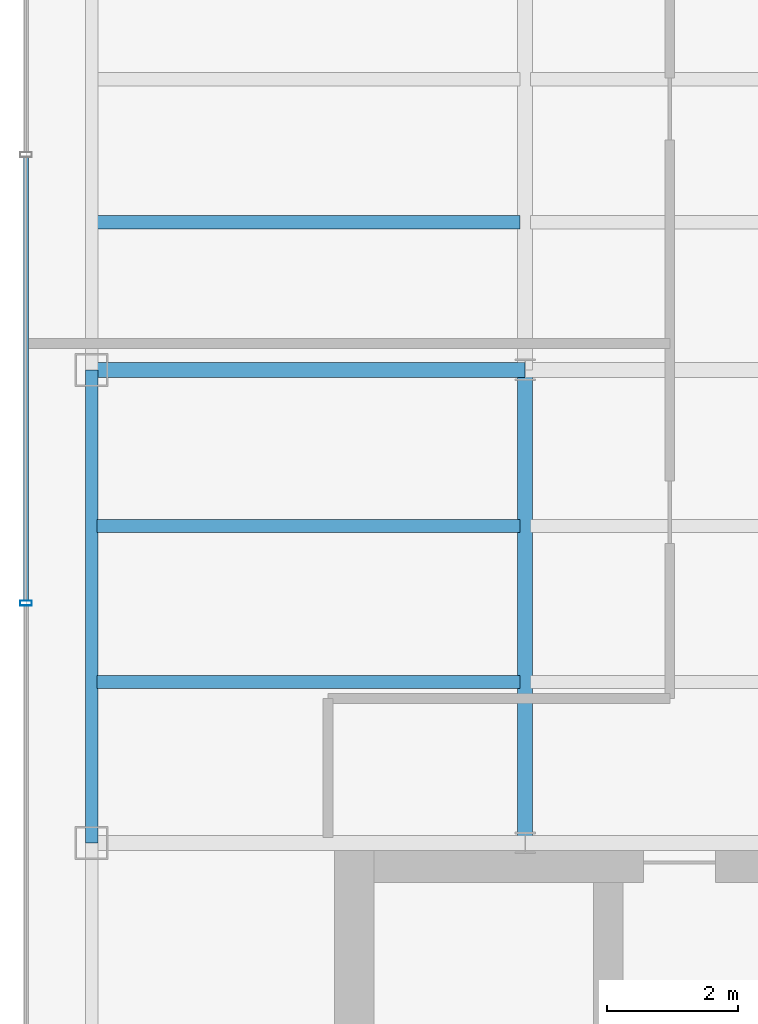
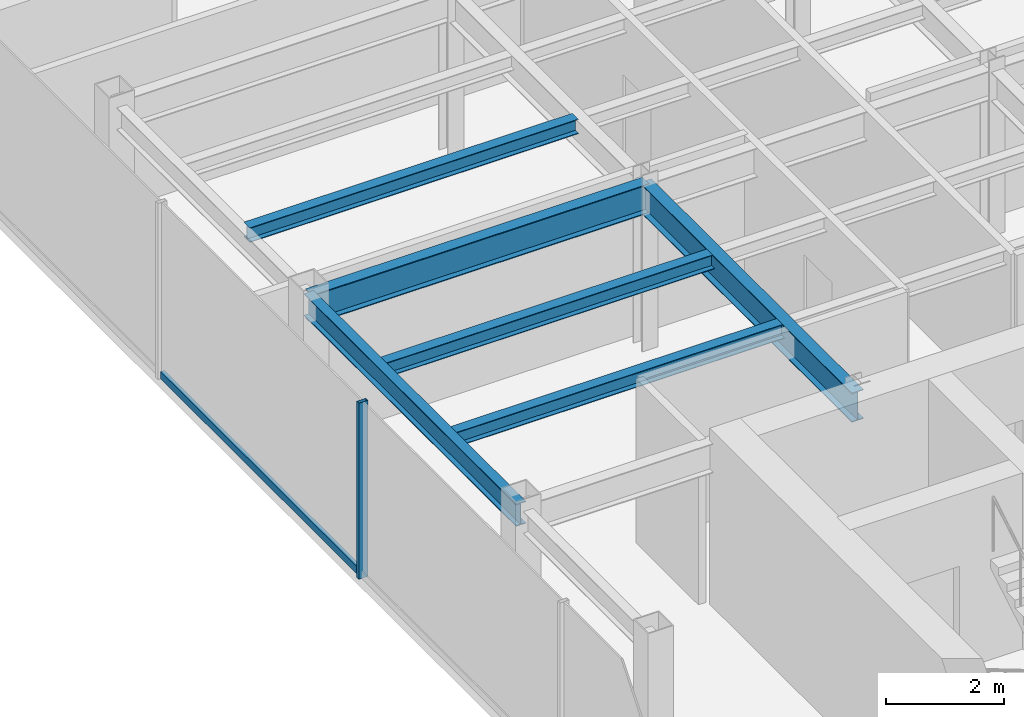
# One storey, part 5 of 22: 6 beams, 2 members, 1 element without a shape of its own.
"""IFC4 building model written with IfcOpenShell, lengths in metres."""

from ifc_helpers import new_model, si_unit, derived_unit, direction, frame, origin, origin_2d, place, context, subcontext, project, spatial, hollow_rectangle, i_section, extrude, source, transform, mapped, material, material_profile, profile_set, type_object, element, aggregate, save


model = new_model("IFC4")

# Units and contexts
model_context = context("Model", 3, precision=1e-05, world=origin(), true_north=direction((0.0, 1.0)))
body_context = subcontext(model_context, "Body", "Model", "MODEL_VIEW")
ifc_project = project(units=[si_unit("LENGTHUNIT", "METRE"), si_unit("AREAUNIT", "SQUARE_METRE"), si_unit("VOLUMEUNIT", "CUBIC_METRE"), si_unit("PLANEANGLEUNIT", "RADIAN"), si_unit("MASSUNIT", "GRAM", prefix="KILO"), derived_unit("THERMALTRANSMITTANCEUNIT", [(si_unit("POWERUNIT", "WATT"), 1), (si_unit("LENGTHUNIT", "METRE"), -2), (si_unit("THERMODYNAMICTEMPERATUREUNIT", "KELVIN"), -1)])], contexts=[model_context])

# Site, building, storey
site_placement = place(None, origin())
site = spatial("IfcSite", under=ifc_project, at=site_placement, CompositionType="ELEMENT")
building_placement = place(site_placement, origin())
building = spatial("IfcBuilding", under=site, at=building_placement, Name="Skarnbrae Concourse Arena and Tower", CompositionType="ELEMENT")
storey_placement = place(building_placement, frame((0.0, 0.0, 255.14990234375)))
storey = spatial("IfcBuildingStorey", under=building, at=storey_placement, Name="L66", CompositionType="ELEMENT", Elevation=255.14990234375)

# Beams
ifc_material_1 = material(Name="Steel CSA G40.21 350W", Category="steel")
ifc_material_profile_1 = material_profile(ifc_material_1, i_section(OverallWidth=0.22802734375, OverallDepth=0.60791015625, WebThickness=0.01123046875, FlangeThickness=0.017333984375, at=origin_2d()), Name="W610X113")
ifc_profile_set_1 = profile_set([ifc_material_profile_1], Name="Steel CSA G40.21 350W")
beam_type_1 = type_object("IfcBeamType", Name="BM-GIRD-W610X113", PredefinedType="BEAM", material=ifc_profile_set_1)
shared_shape_1 = source(origin(), body_context, "Body", "SweptSolid", [
    extrude(i_section(OverallWidth=0.22802734375, OverallDepth=0.60791015625, WebThickness=0.01123046875, FlangeThickness=0.017333984375, at=origin_2d()), origin(), (0.0, 0.0, 1.0), 6.60009765625),
])
beam_1_placement = place(storey_placement, frame((1.0, 21.199951171875, 3.09619140625), z_axis=(1.0, 0.0, 0.0), x_axis=(0.0, 1.0, 0.0)))
element("IfcBeam", 1, at=beam_1_placement, inside=storey, type_object=beam_type_1, Name="L66 Primary E-W girder Y21.2-1", PredefinedType="BEAM", context=body_context, shape_type="MappedRepresentation", body=[
    mapped(shared_shape_1, transform((0.0, 0.0, 0.0))),
])
ifc_material_profile_2 = material_profile(ifc_material_1, i_section(OverallWidth=0.19091796875, OverallDepth=0.4599609375, WebThickness=0.010009765625, FlangeThickness=0.01611328125, at=origin_2d()), Name="W460X82")
ifc_profile_set_2 = profile_set([ifc_material_profile_2], Name="Steel CSA G40.21 350W")
beam_type_2 = type_object("IfcBeamType", Name="BM-SPAN-W460X82", PredefinedType="SPANDREL", material=ifc_profile_set_2)
shared_shape_2 = source(origin(), body_context, "Body", "SweptSolid", [
    extrude(i_section(OverallWidth=0.19091796875, OverallDepth=0.4599609375, WebThickness=0.010009765625, FlangeThickness=0.01611328125, at=origin_2d()), origin(), (0.0, 0.0, 1.0), 7.199951171875),
])
beam_2_placement = place(storey_placement, frame((1.0, 14.0, 3.170166015625), z_axis=(0.0, 1.0, 0.0), x_axis=(-1.0, 0.0, 0.0)))
element("IfcBeam", 2, at=beam_2_placement, inside=storey, type_object=beam_type_2, Name="L66 Perimeter spandrel X1.0-2", PredefinedType="SPANDREL", context=body_context, shape_type="MappedRepresentation", body=[
    mapped(shared_shape_2, transform((0.0, 0.0, 0.0))),
])
shared_shape_3 = source(origin(), body_context, "Body", "SweptSolid", [
    extrude(i_section(OverallWidth=0.22802734375, OverallDepth=0.60791015625, WebThickness=0.01123046875, FlangeThickness=0.017333984375, at=origin_2d()), origin(), (0.0, 0.0, 1.0), 7.199951171875),
])
beam_3_placement = place(storey_placement, frame((7.60009765625, 14.0, 3.09619140625), z_axis=(0.0, 1.0, 0.0), x_axis=(-1.0, 0.0, 0.0)))
element("IfcBeam", 3, at=beam_3_placement, inside=storey, type_object=beam_type_1, Name="L66 Primary N-S girder X7.6-1", PredefinedType="BEAM", context=body_context, shape_type="MappedRepresentation", body=[
    mapped(shared_shape_3, transform((0.0, 0.0, 0.0))),
])
ifc_material_profile_3 = material_profile(ifc_material_1, i_section(OverallWidth=0.202880859375, OverallDepth=0.302978515625, WebThickness=0.007568359375, FlangeThickness=0.01318359375, at=origin_2d()), Name="W310X60")
ifc_profile_set_3 = profile_set([ifc_material_profile_3], Name="Steel CSA G40.21 350W")
beam_type_3 = type_object("IfcBeamType", Name="BM-JOIST-W310X60", PredefinedType="JOIST", material=ifc_profile_set_3)
shared_shape_4 = source(origin(), body_context, "Body", "SweptSolid", [
    extrude(i_section(OverallWidth=0.202880859375, OverallDepth=0.302978515625, WebThickness=0.007568359375, FlangeThickness=0.01318359375, at=origin_2d()), origin(), (0.0, 0.0, 1.0), 6.43994140625),
])
for number, where, z_axis, x_axis, name in (
    (4, (1.080078125, 16.447998046875, 3.24853515625), (1.0, 0.0, 0.0), (0.0, 1.0, 0.0), "L66 Secondary floor joist 1.1.1"),
    (5, (1.080078125, 18.823974609375, 3.24853515625), (1.0, 0.0, 0.0), (0.0, 1.0, 0.0), "L66 Secondary floor joist 1.2.1"),
    (6, (1.080078125, 23.444091796875, 3.24853515625), (1.0, 0.0, 0.0), (0.0, 1.0, 0.0), "L66 Secondary floor joist 2.1.1"),
):
    element("IfcBeam", number, at=place(storey_placement, frame(where, z_axis=z_axis, x_axis=x_axis)), inside=storey, type_object=beam_type_3, Name=name, PredefinedType="JOIST", context=body_context, shape_type="MappedRepresentation", body=[
        mapped(shared_shape_4, transform((0.0, 0.0, 0.0))),
    ])

# Curtain wall, members
ifc_material_2 = material(Name="Bronze anodised aluminium 6063-T6", Category="aluminium")
curtain_wall_type = type_object("IfcCurtainWallType", Name="CW-SYS-05-HIGHZONE", PredefinedType="USERDEFINED", material=ifc_material_2)
curtain_wall_placement = place(storey_placement, origin())
curtain_wall = element("IfcCurtainWall", 7, at=curtain_wall_placement, inside=storey, type_object=curtain_wall_type, Name="L66 Unitised curtain wall CW-L66-E18", ObjectType="UNITISED CURTAIN WALL", PredefinedType="USERDEFINED")
ifc_material_profile_4 = material_profile(ifc_material_2, hollow_rectangle(XDim=0.074951171875, YDim=0.14990234375, WallThickness=0.00390625, at=origin_2d()), Name="ALU-TRAN-75X150")
ifc_profile_set_4 = profile_set([ifc_material_profile_4], Name="Bronze anodised aluminium 6063-T6")
member_type_1 = type_object("IfcMemberType", Name="CWT-CW-05", PredefinedType="USERDEFINED", material=ifc_profile_set_4)
shared_shape_5 = source(origin(), body_context, "Body", "SweptSolid", [
    extrude(hollow_rectangle(XDim=0.074951171875, YDim=0.14990234375, WallThickness=0.00390625, at=origin_2d()), origin(), (0.0, 0.0, 1.0), 6.75),
])
member_1_placement = place(storey_placement, frame((0.0, 24.4375, 0.0751953125), z_axis=(0.0, -1.0, 0.0), x_axis=(1.0, 0.0, 0.0)))
member_1 = element("IfcMember", 8, at=member_1_placement, type_object=member_type_1, Name="CW-L66-E18 Transom 2", ObjectType="TRANSOM", PredefinedType="USERDEFINED", context=body_context, shape_type="MappedRepresentation", body=[
    mapped(shared_shape_5, transform((0.0, 0.0, 0.0))),
])
ifc_material_profile_5 = material_profile(ifc_material_2, hollow_rectangle(XDim=0.074951171875, YDim=0.179931640625, WallThickness=0.00390625, at=origin_2d()), Name="ALU-MULL-75X180")
ifc_profile_set_5 = profile_set([ifc_material_profile_5], Name="Bronze anodised aluminium 6063-T6")
member_type_2 = type_object("IfcMemberType", Name="CWM-CW-05", PredefinedType="MULLION", material=ifc_profile_set_5)
shared_shape_6 = source(origin(), body_context, "Body", "SweptSolid", [
    extrude(hollow_rectangle(XDim=0.074951171875, YDim=0.179931640625, WallThickness=0.00390625, at=origin_2d()), origin(), (0.0, 0.0, 1.0), 3.650146484375),
])
member_2_placement = place(storey_placement, frame((0.0, 17.64990234375, 0.0), z_axis=(0.0, 0.0, 1.0), x_axis=(0.0, -1.0, 0.0)))
member_2 = element("IfcMember", 9, at=member_2_placement, type_object=member_type_2, Name="CW-L66-E18 Mullion 3", PredefinedType="MULLION", context=body_context, shape_type="MappedRepresentation", body=[
    mapped(shared_shape_6, transform((0.0, 0.0, 0.0))),
])
aggregate(curtain_wall, [member_2, member_1])

save(model, "model.ifc")
